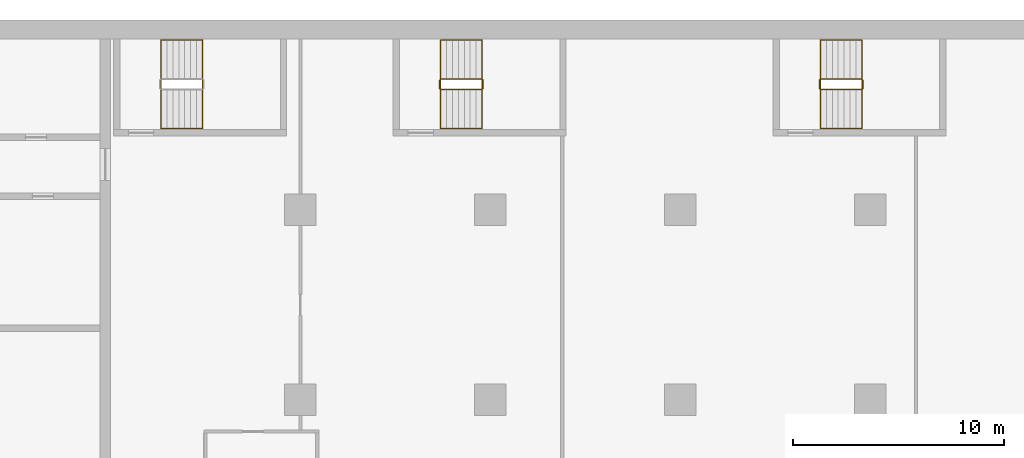
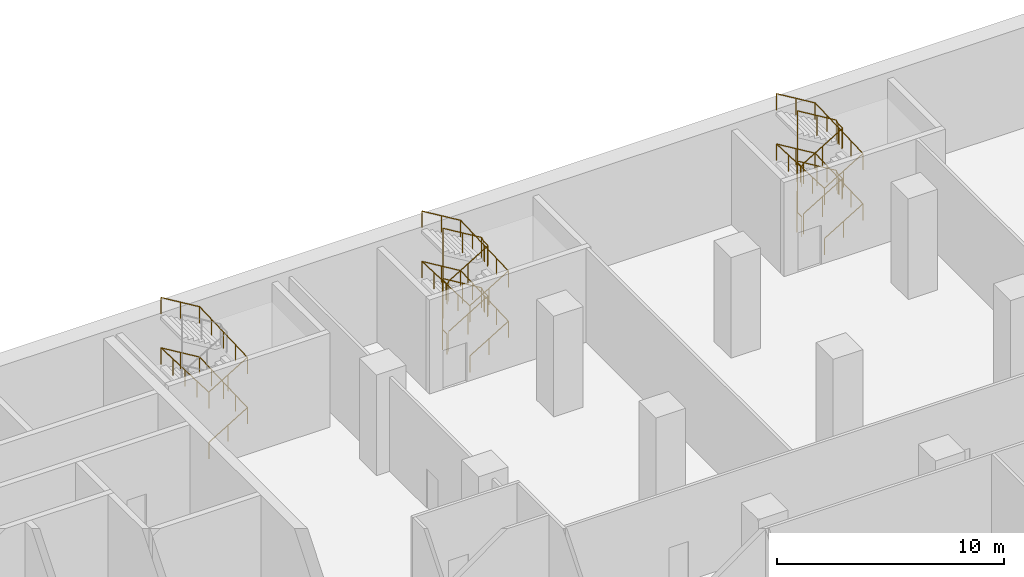
# One storey, part 37 of 44: 5 railings.
"""IFC4 building model written with IfcOpenShell, lengths in metres."""

from ifc_helpers import new_model, si_unit, direction, frame, origin, origin_2d, place, context, subcontext, project, spatial, circle, extrude, material, type_object, element, save


model = new_model("IFC4")

# Units and contexts
model_context = context("Model", 3, precision=1e-05, world=origin(), true_north=direction((0.0, 1.0)))
body_context = subcontext(model_context, "Body", "Model", "MODEL_VIEW")
ifc_project = project(units=[si_unit("LENGTHUNIT", "METRE"), si_unit("AREAUNIT", "SQUARE_METRE"), si_unit("VOLUMEUNIT", "CUBIC_METRE"), si_unit("PLANEANGLEUNIT", "RADIAN"), si_unit("MASSUNIT", "GRAM", prefix="KILO")], contexts=[model_context])

# Site, building, storey
site_placement = place(None, origin())
site = spatial("IfcSite", under=ifc_project, at=site_placement, CompositionType="ELEMENT")
building_placement = place(site_placement, origin())
building = spatial("IfcBuilding", under=site, at=building_placement, Name="Hunhe Ridgeline Campus", CompositionType="ELEMENT")
storey_placement = place(building_placement, frame((0.0, 0.0, 6.0)))
storey = spatial("IfcBuildingStorey", under=building, at=storey_placement, Name="L01", CompositionType="ELEMENT", Elevation=6.0)

# Railings
ifc_material_1 = material(Name="Stainless steel balustrade", Category="steel")
railing_type_1 = type_object("IfcRailingType", Name="Stair guard 1100 stainless", PredefinedType="GUARDRAIL", material=ifc_material_1)
railing_1_placement = place(storey_placement, frame((51.64990234375, 95.699951171875, 0.168701171875)))
element("IfcRailing", 1, at=railing_1_placement, inside=storey, type_object=railing_type_1, Name="L01 stair E2 guard", PredefinedType="GUARDRAIL", context=body_context, shape_type="SweptSolid", body=[
    extrude(circle(Radius=0.02392578125, at=origin_2d()), frame((0.0, 0.0, 1.076171875), z_axis=(0.856474724393, 0.0, 0.516188963923), x_axis=(0.0, 1.0, 0.0)), (0.0, 0.0, 1.0), 2.28857421875),
    extrude(circle(Radius=0.02392578125, at=origin_2d()), frame((1.960205078125, 0.0, 2.25732421875), z_axis=(0.705375805398, 0.708833529934, 0.0), x_axis=(-0.708833529934, 0.705375805398, 0.0)), (0.0, 0.0, 1.0), 0.070556640625),
    extrude(circle(Radius=0.02392578125, at=origin_2d()), frame((2.010009765625, 0.050048828125, 2.25732421875), z_axis=(0.0, 1.0, 0.0), x_axis=(-1.0, 0.0, 0.0)), (0.0, 0.0, 1.0), 0.39990234375),
    extrude(circle(Radius=0.02392578125, at=origin_2d()), frame((2.010009765625, 0.449951171875, 2.25732421875), z_axis=(-0.272333783174, 0.273668752699, 0.922463942026), x_axis=(-0.708833529934, -0.705375805398, 0.0)), (0.0, 0.0, 1.0), 0.182861328125),
    extrude(circle(Radius=0.02392578125, at=origin_2d()), frame((1.960205078125, 0.5, 2.42626953125), z_axis=(-0.856521883693, 0.0, 0.516110707847), x_axis=(0.0, -1.0, 0.0)), (0.0, 0.0, 1.0), 2.28857421875),
    extrude(circle(Radius=0.02392578125, at=origin_2d()), frame((0.0, 0.5, 3.607421875), z_axis=(-0.705375805398, -0.708833529934, 0.0), x_axis=(0.708833529934, -0.705375805398, 0.0)), (0.0, 0.0, 1.0), 0.070556640625),
    extrude(circle(Radius=0.02392578125, at=origin_2d()), frame((-0.0498046875, 0.449951171875, 3.607421875), z_axis=(0.0, -1.0, 0.0), x_axis=(1.0, 0.0, 0.0)), (0.0, 0.0, 1.0), 0.39990234375),
    extrude(circle(Radius=0.02392578125, at=origin_2d()), frame((-0.0498046875, 0.050048828125, 3.607421875), z_axis=(0.272333783174, -0.273668752699, 0.922463942026), x_axis=(0.708833529934, 0.705375805398, 0.0)), (0.0, 0.0, 1.0), 0.182861328125),
    extrude(circle(Radius=0.02392578125, at=origin_2d()), frame((0.0, 0.0, 3.77587890625), z_axis=(0.856474724393, 0.0, 0.516188963923), x_axis=(0.0, 1.0, 0.0)), (0.0, 0.0, 1.0), 2.28857421875),
    extrude(circle(Radius=0.02392578125, at=origin_2d()), frame((1.960205078125, 0.0, 4.95751953125), z_axis=(0.705375805398, 0.708833529934, 0.0), x_axis=(-0.708833529934, 0.705375805398, 0.0)), (0.0, 0.0, 1.0), 0.070556640625),
    extrude(circle(Radius=0.02392578125, at=origin_2d()), frame((2.010009765625, 0.050048828125, 4.95751953125), z_axis=(0.0, 1.0, 0.0), x_axis=(-1.0, 0.0, 0.0)), (0.0, 0.0, 1.0), 0.39990234375),
    extrude(circle(Radius=0.02392578125, at=origin_2d()), frame((2.010009765625, 0.449951171875, 4.95751953125), z_axis=(-0.272333783174, 0.273668752699, 0.922463942026), x_axis=(-0.708833529934, -0.705375805398, 0.0)), (0.0, 0.0, 1.0), 0.182861328125),
    extrude(circle(Radius=0.02392578125, at=origin_2d()), frame((1.960205078125, 0.5, 5.1259765625), z_axis=(-0.856521883693, 0.0, 0.516110707847), x_axis=(0.0, -1.0, 0.0)), (0.0, 0.0, 1.0), 2.28857421875),
    extrude(circle(Radius=0.02392578125, at=origin_2d()), frame((0.0, 0.5, 6.30712890625), z_axis=(-0.009222468713, -0.009267676893, -0.999914524465), x_axis=(1.0, 0.0, 0.0)), (0.0, 0.0, 1.0), 5.400390625),
    extrude(circle(Radius=0.02392578125, at=origin_2d()), frame((-0.0498046875, 0.449951171875, 0.9072265625), z_axis=(0.0, -1.0, 0.0), x_axis=(1.0, 0.0, 0.0)), (0.0, 0.0, 1.0), 0.39990234375),
    extrude(circle(Radius=0.02099609375, at=origin_2d()), origin(), (0.0, 0.0, 1.0), 1.052001953125),
    extrude(circle(Radius=0.02099609375, at=origin_2d()), frame((0.97998046875, 0.0, 0.5908203125)), (0.0, 0.0, 1.0), 1.052001953125),
    extrude(circle(Radius=0.02099609375, at=origin_2d()), frame((1.960205078125, 0.0, 1.181396484375)), (0.0, 0.0, 1.0), 1.052001953125),
    extrude(circle(Radius=0.02099609375, at=origin_2d()), frame((2.010009765625, 0.050048828125, 1.181396484375)), (0.0, 0.0, 1.0), 1.052001953125),
    extrude(circle(Radius=0.02099609375, at=origin_2d()), frame((2.010009765625, 0.449951171875, 1.181396484375)), (0.0, 0.0, 1.0), 1.052001953125),
    extrude(circle(Radius=0.02099609375, at=origin_2d()), frame((1.960205078125, 0.5, 1.35009765625)), (0.0, 0.0, 1.0), 1.052001953125),
    extrude(circle(Radius=0.02099609375, at=origin_2d()), frame((0.97998046875, 0.5, 1.940673828125)), (0.0, 0.0, 1.0), 1.052001953125),
    extrude(circle(Radius=0.02099609375, at=origin_2d()), frame((0.0, 0.5, 2.53125)), (0.0, 0.0, 1.0), 1.052001953125),
    extrude(circle(Radius=0.02099609375, at=origin_2d()), frame((-0.0498046875, 0.449951171875, 2.53125)), (0.0, 0.0, 1.0), 1.052001953125),
    extrude(circle(Radius=0.02099609375, at=origin_2d()), frame((-0.0498046875, 0.050048828125, 2.53125)), (0.0, 0.0, 1.0), 1.052001953125),
    extrude(circle(Radius=0.02099609375, at=origin_2d()), frame((0.0, 0.0, 2.699951171875)), (0.0, 0.0, 1.0), 1.052001953125),
    extrude(circle(Radius=0.02099609375, at=origin_2d()), frame((0.97998046875, 0.0, 3.29052734375)), (0.0, 0.0, 1.0), 1.052001953125),
    extrude(circle(Radius=0.02099609375, at=origin_2d()), frame((1.960205078125, 0.0, 3.88134765625)), (0.0, 0.0, 1.0), 1.052001953125),
    extrude(circle(Radius=0.02099609375, at=origin_2d()), frame((2.010009765625, 0.050048828125, 3.88134765625)), (0.0, 0.0, 1.0), 1.052001953125),
    extrude(circle(Radius=0.02099609375, at=origin_2d()), frame((2.010009765625, 0.449951171875, 3.88134765625)), (0.0, 0.0, 1.0), 1.052001953125),
    extrude(circle(Radius=0.02099609375, at=origin_2d()), frame((1.960205078125, 0.5, 4.050048828125)), (0.0, 0.0, 1.0), 1.052001953125),
    extrude(circle(Radius=0.02099609375, at=origin_2d()), frame((0.97998046875, 0.5, 4.640625)), (0.0, 0.0, 1.0), 1.052001953125),
    extrude(circle(Radius=0.02099609375, at=origin_2d()), frame((0.0, 0.5, 5.231201171875)), (0.0, 0.0, 1.0), 1.052001953125),
    extrude(circle(Radius=0.02099609375, at=origin_2d()), frame((-0.010009765625, 0.489990234375, 4.151123046875)), (0.0, 0.0, 1.0), 1.052001953125),
    extrude(circle(Radius=0.02099609375, at=origin_2d()), frame((-0.02001953125, 0.47998046875, 3.0712890625)), (0.0, 0.0, 1.0), 1.052001953125),
    extrude(circle(Radius=0.02099609375, at=origin_2d()), frame((-0.02978515625, 0.469970703125, 1.9912109375)), (0.0, 0.0, 1.0), 1.052001953125),
    extrude(circle(Radius=0.02099609375, at=origin_2d()), frame((-0.039794921875, 0.4599609375, 0.911376953125)), (0.0, 0.0, 1.0), 1.052001953125),
    extrude(circle(Radius=0.02099609375, at=origin_2d()), frame((-0.0498046875, 0.449951171875, -0.168701171875)), (0.0, 0.0, 1.0), 1.052001953125),
    extrude(circle(Radius=0.02099609375, at=origin_2d()), frame((-0.0498046875, 0.050048828125, -0.168701171875)), (0.0, 0.0, 1.0), 1.052001953125),
])
railing_2_placement = place(storey_placement, frame((69.64990234375, 95.699951171875, 0.168701171875)))
element("IfcRailing", 2, at=railing_2_placement, inside=storey, type_object=railing_type_1, Name="L01 stair E3 guard", PredefinedType="GUARDRAIL", context=body_context, shape_type="SweptSolid", body=[
    extrude(circle(Radius=0.02392578125, at=origin_2d()), frame((0.0, 0.0, 1.076171875), z_axis=(0.856474724393, 0.0, 0.516188963923), x_axis=(0.0, 1.0, 0.0)), (0.0, 0.0, 1.0), 2.28857421875),
    extrude(circle(Radius=0.02392578125, at=origin_2d()), frame((1.960205078125, 0.0, 2.25732421875), z_axis=(0.705375805398, 0.708833529934, 0.0), x_axis=(-0.708833529934, 0.705375805398, 0.0)), (0.0, 0.0, 1.0), 0.070556640625),
    extrude(circle(Radius=0.02392578125, at=origin_2d()), frame((2.010009765625, 0.050048828125, 2.25732421875), z_axis=(0.0, 1.0, 0.0), x_axis=(-1.0, 0.0, 0.0)), (0.0, 0.0, 1.0), 0.39990234375),
    extrude(circle(Radius=0.02392578125, at=origin_2d()), frame((2.010009765625, 0.449951171875, 2.25732421875), z_axis=(-0.272333783174, 0.273668752699, 0.922463942026), x_axis=(-0.708833529934, -0.705375805398, 0.0)), (0.0, 0.0, 1.0), 0.182861328125),
    extrude(circle(Radius=0.02392578125, at=origin_2d()), frame((1.960205078125, 0.5, 2.42626953125), z_axis=(-0.856521883693, 0.0, 0.516110707847), x_axis=(0.0, -1.0, 0.0)), (0.0, 0.0, 1.0), 2.28857421875),
    extrude(circle(Radius=0.02392578125, at=origin_2d()), frame((0.0, 0.5, 3.607421875), z_axis=(-0.705375805398, -0.708833529934, 0.0), x_axis=(0.708833529934, -0.705375805398, 0.0)), (0.0, 0.0, 1.0), 0.070556640625),
    extrude(circle(Radius=0.02392578125, at=origin_2d()), frame((-0.0498046875, 0.449951171875, 3.607421875), z_axis=(0.0, -1.0, 0.0), x_axis=(1.0, 0.0, 0.0)), (0.0, 0.0, 1.0), 0.39990234375),
    extrude(circle(Radius=0.02392578125, at=origin_2d()), frame((-0.0498046875, 0.050048828125, 3.607421875), z_axis=(0.272333783174, -0.273668752699, 0.922463942026), x_axis=(0.708833529934, 0.705375805398, 0.0)), (0.0, 0.0, 1.0), 0.182861328125),
    extrude(circle(Radius=0.02392578125, at=origin_2d()), frame((0.0, 0.0, 3.77587890625), z_axis=(0.856474724393, 0.0, 0.516188963923), x_axis=(0.0, 1.0, 0.0)), (0.0, 0.0, 1.0), 2.28857421875),
    extrude(circle(Radius=0.02392578125, at=origin_2d()), frame((1.960205078125, 0.0, 4.95751953125), z_axis=(0.705375805398, 0.708833529934, 0.0), x_axis=(-0.708833529934, 0.705375805398, 0.0)), (0.0, 0.0, 1.0), 0.070556640625),
    extrude(circle(Radius=0.02392578125, at=origin_2d()), frame((2.010009765625, 0.050048828125, 4.95751953125), z_axis=(0.0, 1.0, 0.0), x_axis=(-1.0, 0.0, 0.0)), (0.0, 0.0, 1.0), 0.39990234375),
    extrude(circle(Radius=0.02392578125, at=origin_2d()), frame((2.010009765625, 0.449951171875, 4.95751953125), z_axis=(-0.272333783174, 0.273668752699, 0.922463942026), x_axis=(-0.708833529934, -0.705375805398, 0.0)), (0.0, 0.0, 1.0), 0.182861328125),
    extrude(circle(Radius=0.02392578125, at=origin_2d()), frame((1.960205078125, 0.5, 5.1259765625), z_axis=(-0.856521883693, 0.0, 0.516110707847), x_axis=(0.0, -1.0, 0.0)), (0.0, 0.0, 1.0), 2.28857421875),
    extrude(circle(Radius=0.02392578125, at=origin_2d()), frame((0.0, 0.5, 6.30712890625), z_axis=(-0.009222468713, -0.009267676893, -0.999914524465), x_axis=(1.0, 0.0, 0.0)), (0.0, 0.0, 1.0), 5.400390625),
    extrude(circle(Radius=0.02392578125, at=origin_2d()), frame((-0.0498046875, 0.449951171875, 0.9072265625), z_axis=(0.0, -1.0, 0.0), x_axis=(1.0, 0.0, 0.0)), (0.0, 0.0, 1.0), 0.39990234375),
    extrude(circle(Radius=0.02099609375, at=origin_2d()), origin(), (0.0, 0.0, 1.0), 1.052001953125),
    extrude(circle(Radius=0.02099609375, at=origin_2d()), frame((0.97998046875, 0.0, 0.5908203125)), (0.0, 0.0, 1.0), 1.052001953125),
    extrude(circle(Radius=0.02099609375, at=origin_2d()), frame((1.960205078125, 0.0, 1.181396484375)), (0.0, 0.0, 1.0), 1.052001953125),
    extrude(circle(Radius=0.02099609375, at=origin_2d()), frame((2.010009765625, 0.050048828125, 1.181396484375)), (0.0, 0.0, 1.0), 1.052001953125),
    extrude(circle(Radius=0.02099609375, at=origin_2d()), frame((2.010009765625, 0.449951171875, 1.181396484375)), (0.0, 0.0, 1.0), 1.052001953125),
    extrude(circle(Radius=0.02099609375, at=origin_2d()), frame((1.960205078125, 0.5, 1.35009765625)), (0.0, 0.0, 1.0), 1.052001953125),
    extrude(circle(Radius=0.02099609375, at=origin_2d()), frame((0.97998046875, 0.5, 1.940673828125)), (0.0, 0.0, 1.0), 1.052001953125),
    extrude(circle(Radius=0.02099609375, at=origin_2d()), frame((0.0, 0.5, 2.53125)), (0.0, 0.0, 1.0), 1.052001953125),
    extrude(circle(Radius=0.02099609375, at=origin_2d()), frame((-0.0498046875, 0.449951171875, 2.53125)), (0.0, 0.0, 1.0), 1.052001953125),
    extrude(circle(Radius=0.02099609375, at=origin_2d()), frame((-0.0498046875, 0.050048828125, 2.53125)), (0.0, 0.0, 1.0), 1.052001953125),
    extrude(circle(Radius=0.02099609375, at=origin_2d()), frame((0.0, 0.0, 2.699951171875)), (0.0, 0.0, 1.0), 1.052001953125),
    extrude(circle(Radius=0.02099609375, at=origin_2d()), frame((0.97998046875, 0.0, 3.29052734375)), (0.0, 0.0, 1.0), 1.052001953125),
    extrude(circle(Radius=0.02099609375, at=origin_2d()), frame((1.960205078125, 0.0, 3.88134765625)), (0.0, 0.0, 1.0), 1.052001953125),
    extrude(circle(Radius=0.02099609375, at=origin_2d()), frame((2.010009765625, 0.050048828125, 3.88134765625)), (0.0, 0.0, 1.0), 1.052001953125),
    extrude(circle(Radius=0.02099609375, at=origin_2d()), frame((2.010009765625, 0.449951171875, 3.88134765625)), (0.0, 0.0, 1.0), 1.052001953125),
    extrude(circle(Radius=0.02099609375, at=origin_2d()), frame((1.960205078125, 0.5, 4.050048828125)), (0.0, 0.0, 1.0), 1.052001953125),
    extrude(circle(Radius=0.02099609375, at=origin_2d()), frame((0.97998046875, 0.5, 4.640625)), (0.0, 0.0, 1.0), 1.052001953125),
    extrude(circle(Radius=0.02099609375, at=origin_2d()), frame((0.0, 0.5, 5.231201171875)), (0.0, 0.0, 1.0), 1.052001953125),
    extrude(circle(Radius=0.02099609375, at=origin_2d()), frame((-0.010009765625, 0.489990234375, 4.151123046875)), (0.0, 0.0, 1.0), 1.052001953125),
    extrude(circle(Radius=0.02099609375, at=origin_2d()), frame((-0.02001953125, 0.47998046875, 3.0712890625)), (0.0, 0.0, 1.0), 1.052001953125),
    extrude(circle(Radius=0.02099609375, at=origin_2d()), frame((-0.02978515625, 0.469970703125, 1.9912109375)), (0.0, 0.0, 1.0), 1.052001953125),
    extrude(circle(Radius=0.02099609375, at=origin_2d()), frame((-0.039794921875, 0.4599609375, 0.911376953125)), (0.0, 0.0, 1.0), 1.052001953125),
    extrude(circle(Radius=0.02099609375, at=origin_2d()), frame((-0.0498046875, 0.449951171875, -0.168701171875)), (0.0, 0.0, 1.0), 1.052001953125),
    extrude(circle(Radius=0.02099609375, at=origin_2d()), frame((-0.0498046875, 0.050048828125, -0.168701171875)), (0.0, 0.0, 1.0), 1.052001953125),
])
ifc_material_2 = material(Name="Stainless steel handrail", Category="steel")
railing_type_2 = type_object("IfcRailingType", Name="Stair handrail 900 stainless", PredefinedType="HANDRAIL", material=ifc_material_2)
railing_3_placement = place(storey_placement, frame((38.39990234375, 93.85009765625, 0.168701171875)))
element("IfcRailing", 3, at=railing_3_placement, inside=storey, type_object=railing_type_2, Name="L01 stair E1 handrail", PredefinedType="HANDRAIL", context=body_context, shape_type="SweptSolid", body=[
    extrude(circle(Radius=0.02392578125, at=origin_2d()), frame((0.0, 0.0, 0.8759765625), z_axis=(0.856474724393, 0.0, 0.516188963923), x_axis=(0.0, 1.0, 0.0)), (0.0, 0.0, 1.0), 2.28857421875),
    extrude(circle(Radius=0.02392578125, at=origin_2d()), frame((1.960205078125, 0.0, 2.05712890625), z_axis=(0.0, 0.999194264342, 0.040135048344), x_axis=(-1.0, 0.0, 0.0)), (0.0, 0.0, 1.0), 4.203369140625),
    extrude(circle(Radius=0.02392578125, at=origin_2d()), frame((1.960205078125, 4.199951171875, 2.22607421875), z_axis=(-0.856521883693, 0.0, 0.516110707847), x_axis=(0.0, -1.0, 0.0)), (0.0, 0.0, 1.0), 2.28857421875),
    extrude(circle(Radius=0.02392578125, at=origin_2d()), frame((0.0, 4.199951171875, 3.4072265625), z_axis=(0.0, -0.999194264342, 0.040135048344), x_axis=(1.0, 0.0, 0.0)), (0.0, 0.0, 1.0), 4.203369140625),
    extrude(circle(Radius=0.02392578125, at=origin_2d()), frame((0.0, 0.0, 3.57568359375), z_axis=(0.856474724393, 0.0, 0.516188963923), x_axis=(0.0, 1.0, 0.0)), (0.0, 0.0, 1.0), 2.28857421875),
    extrude(circle(Radius=0.02392578125, at=origin_2d()), frame((1.960205078125, 0.0, 4.75732421875), z_axis=(0.0, 0.999194264342, 0.040135048344), x_axis=(-1.0, 0.0, 0.0)), (0.0, 0.0, 1.0), 4.203369140625),
    extrude(circle(Radius=0.02392578125, at=origin_2d()), frame((1.960205078125, 4.199951171875, 4.92578125), z_axis=(-0.856521883693, 0.0, 0.516110707847), x_axis=(0.0, -1.0, 0.0)), (0.0, 0.0, 1.0), 2.28857421875),
    extrude(circle(Radius=0.02099609375, at=origin_2d()), origin(), (0.0, 0.0, 1.0), 0.851806640625),
    extrude(circle(Radius=0.02099609375, at=origin_2d()), frame((0.97998046875, 0.0, 0.5908203125)), (0.0, 0.0, 1.0), 0.851806640625),
    extrude(circle(Radius=0.02099609375, at=origin_2d()), frame((1.960205078125, 0.0, 1.181396484375)), (0.0, 0.0, 1.0), 0.851806640625),
    extrude(circle(Radius=0.02099609375, at=origin_2d()), frame((1.960205078125, 1.050048828125, 1.2236328125)), (0.0, 0.0, 1.0), 0.851806640625),
    extrude(circle(Radius=0.02099609375, at=origin_2d()), frame((1.960205078125, 2.10009765625, 1.265625)), (0.0, 0.0, 1.0), 0.851806640625),
    extrude(circle(Radius=0.02099609375, at=origin_2d()), frame((1.960205078125, 3.14990234375, 1.307861328125)), (0.0, 0.0, 1.0), 0.851806640625),
    extrude(circle(Radius=0.02099609375, at=origin_2d()), frame((1.960205078125, 4.199951171875, 1.35009765625)), (0.0, 0.0, 1.0), 0.851806640625),
    extrude(circle(Radius=0.02099609375, at=origin_2d()), frame((0.97998046875, 4.199951171875, 1.940673828125)), (0.0, 0.0, 1.0), 0.851806640625),
    extrude(circle(Radius=0.02099609375, at=origin_2d()), frame((0.0, 4.199951171875, 2.53125)), (0.0, 0.0, 1.0), 0.851806640625),
    extrude(circle(Radius=0.02099609375, at=origin_2d()), frame((0.0, 3.14990234375, 2.573486328125)), (0.0, 0.0, 1.0), 0.851806640625),
    extrude(circle(Radius=0.02099609375, at=origin_2d()), frame((0.0, 2.10009765625, 2.61572265625)), (0.0, 0.0, 1.0), 0.851806640625),
    extrude(circle(Radius=0.02099609375, at=origin_2d()), frame((0.0, 1.050048828125, 2.65771484375)), (0.0, 0.0, 1.0), 0.851806640625),
    extrude(circle(Radius=0.02099609375, at=origin_2d()), frame((0.0, 0.0, 2.699951171875)), (0.0, 0.0, 1.0), 0.851806640625),
    extrude(circle(Radius=0.02099609375, at=origin_2d()), frame((0.97998046875, 0.0, 3.29052734375)), (0.0, 0.0, 1.0), 0.851806640625),
    extrude(circle(Radius=0.02099609375, at=origin_2d()), frame((1.960205078125, 0.0, 3.88134765625)), (0.0, 0.0, 1.0), 0.851806640625),
    extrude(circle(Radius=0.02099609375, at=origin_2d()), frame((1.960205078125, 1.050048828125, 3.923583984375)), (0.0, 0.0, 1.0), 0.851806640625),
    extrude(circle(Radius=0.02099609375, at=origin_2d()), frame((1.960205078125, 2.10009765625, 3.9658203125)), (0.0, 0.0, 1.0), 0.851806640625),
    extrude(circle(Radius=0.02099609375, at=origin_2d()), frame((1.960205078125, 3.14990234375, 4.0078125)), (0.0, 0.0, 1.0), 0.851806640625),
    extrude(circle(Radius=0.02099609375, at=origin_2d()), frame((1.960205078125, 4.199951171875, 4.050048828125)), (0.0, 0.0, 1.0), 0.851806640625),
    extrude(circle(Radius=0.02099609375, at=origin_2d()), frame((0.97998046875, 4.199951171875, 4.640625)), (0.0, 0.0, 1.0), 0.851806640625),
    extrude(circle(Radius=0.02099609375, at=origin_2d()), frame((0.0, 4.199951171875, 5.231201171875)), (0.0, 0.0, 1.0), 0.851806640625),
])
railing_4_placement = place(storey_placement, frame((51.64990234375, 93.85009765625, 0.168701171875)))
element("IfcRailing", 4, at=railing_4_placement, inside=storey, type_object=railing_type_2, Name="L01 stair E2 handrail", PredefinedType="HANDRAIL", context=body_context, shape_type="SweptSolid", body=[
    extrude(circle(Radius=0.02392578125, at=origin_2d()), frame((0.0, 0.0, 0.8759765625), z_axis=(0.856474724393, 0.0, 0.516188963923), x_axis=(0.0, 1.0, 0.0)), (0.0, 0.0, 1.0), 2.28857421875),
    extrude(circle(Radius=0.02392578125, at=origin_2d()), frame((1.960205078125, 0.0, 2.05712890625), z_axis=(0.0, 0.999194264342, 0.040135048344), x_axis=(-1.0, 0.0, 0.0)), (0.0, 0.0, 1.0), 4.203369140625),
    extrude(circle(Radius=0.02392578125, at=origin_2d()), frame((1.960205078125, 4.199951171875, 2.22607421875), z_axis=(-0.856521883693, 0.0, 0.516110707847), x_axis=(0.0, -1.0, 0.0)), (0.0, 0.0, 1.0), 2.28857421875),
    extrude(circle(Radius=0.02392578125, at=origin_2d()), frame((0.0, 4.199951171875, 3.4072265625), z_axis=(0.0, -0.999194264342, 0.040135048344), x_axis=(1.0, 0.0, 0.0)), (0.0, 0.0, 1.0), 4.203369140625),
    extrude(circle(Radius=0.02392578125, at=origin_2d()), frame((0.0, 0.0, 3.57568359375), z_axis=(0.856474724393, 0.0, 0.516188963923), x_axis=(0.0, 1.0, 0.0)), (0.0, 0.0, 1.0), 2.28857421875),
    extrude(circle(Radius=0.02392578125, at=origin_2d()), frame((1.960205078125, 0.0, 4.75732421875), z_axis=(0.0, 0.999194264342, 0.040135048344), x_axis=(-1.0, 0.0, 0.0)), (0.0, 0.0, 1.0), 4.203369140625),
    extrude(circle(Radius=0.02392578125, at=origin_2d()), frame((1.960205078125, 4.199951171875, 4.92578125), z_axis=(-0.856521883693, 0.0, 0.516110707847), x_axis=(0.0, -1.0, 0.0)), (0.0, 0.0, 1.0), 2.28857421875),
    extrude(circle(Radius=0.02099609375, at=origin_2d()), origin(), (0.0, 0.0, 1.0), 0.851806640625),
    extrude(circle(Radius=0.02099609375, at=origin_2d()), frame((0.97998046875, 0.0, 0.5908203125)), (0.0, 0.0, 1.0), 0.851806640625),
    extrude(circle(Radius=0.02099609375, at=origin_2d()), frame((1.960205078125, 0.0, 1.181396484375)), (0.0, 0.0, 1.0), 0.851806640625),
    extrude(circle(Radius=0.02099609375, at=origin_2d()), frame((1.960205078125, 1.050048828125, 1.2236328125)), (0.0, 0.0, 1.0), 0.851806640625),
    extrude(circle(Radius=0.02099609375, at=origin_2d()), frame((1.960205078125, 2.10009765625, 1.265625)), (0.0, 0.0, 1.0), 0.851806640625),
    extrude(circle(Radius=0.02099609375, at=origin_2d()), frame((1.960205078125, 3.14990234375, 1.307861328125)), (0.0, 0.0, 1.0), 0.851806640625),
    extrude(circle(Radius=0.02099609375, at=origin_2d()), frame((1.960205078125, 4.199951171875, 1.35009765625)), (0.0, 0.0, 1.0), 0.851806640625),
    extrude(circle(Radius=0.02099609375, at=origin_2d()), frame((0.97998046875, 4.199951171875, 1.940673828125)), (0.0, 0.0, 1.0), 0.851806640625),
    extrude(circle(Radius=0.02099609375, at=origin_2d()), frame((0.0, 4.199951171875, 2.53125)), (0.0, 0.0, 1.0), 0.851806640625),
    extrude(circle(Radius=0.02099609375, at=origin_2d()), frame((0.0, 3.14990234375, 2.573486328125)), (0.0, 0.0, 1.0), 0.851806640625),
    extrude(circle(Radius=0.02099609375, at=origin_2d()), frame((0.0, 2.10009765625, 2.61572265625)), (0.0, 0.0, 1.0), 0.851806640625),
    extrude(circle(Radius=0.02099609375, at=origin_2d()), frame((0.0, 1.050048828125, 2.65771484375)), (0.0, 0.0, 1.0), 0.851806640625),
    extrude(circle(Radius=0.02099609375, at=origin_2d()), frame((0.0, 0.0, 2.699951171875)), (0.0, 0.0, 1.0), 0.851806640625),
    extrude(circle(Radius=0.02099609375, at=origin_2d()), frame((0.97998046875, 0.0, 3.29052734375)), (0.0, 0.0, 1.0), 0.851806640625),
    extrude(circle(Radius=0.02099609375, at=origin_2d()), frame((1.960205078125, 0.0, 3.88134765625)), (0.0, 0.0, 1.0), 0.851806640625),
    extrude(circle(Radius=0.02099609375, at=origin_2d()), frame((1.960205078125, 1.050048828125, 3.923583984375)), (0.0, 0.0, 1.0), 0.851806640625),
    extrude(circle(Radius=0.02099609375, at=origin_2d()), frame((1.960205078125, 2.10009765625, 3.9658203125)), (0.0, 0.0, 1.0), 0.851806640625),
    extrude(circle(Radius=0.02099609375, at=origin_2d()), frame((1.960205078125, 3.14990234375, 4.0078125)), (0.0, 0.0, 1.0), 0.851806640625),
    extrude(circle(Radius=0.02099609375, at=origin_2d()), frame((1.960205078125, 4.199951171875, 4.050048828125)), (0.0, 0.0, 1.0), 0.851806640625),
    extrude(circle(Radius=0.02099609375, at=origin_2d()), frame((0.97998046875, 4.199951171875, 4.640625)), (0.0, 0.0, 1.0), 0.851806640625),
    extrude(circle(Radius=0.02099609375, at=origin_2d()), frame((0.0, 4.199951171875, 5.231201171875)), (0.0, 0.0, 1.0), 0.851806640625),
])
railing_5_placement = place(storey_placement, frame((69.64990234375, 93.85009765625, 0.168701171875)))
element("IfcRailing", 5, at=railing_5_placement, inside=storey, type_object=railing_type_2, Name="L01 stair E3 handrail", PredefinedType="HANDRAIL", context=body_context, shape_type="SweptSolid", body=[
    extrude(circle(Radius=0.02392578125, at=origin_2d()), frame((0.0, 0.0, 0.8759765625), z_axis=(0.856474724393, 0.0, 0.516188963923), x_axis=(0.0, 1.0, 0.0)), (0.0, 0.0, 1.0), 2.28857421875),
    extrude(circle(Radius=0.02392578125, at=origin_2d()), frame((1.960205078125, 0.0, 2.05712890625), z_axis=(0.0, 0.999194264342, 0.040135048344), x_axis=(-1.0, 0.0, 0.0)), (0.0, 0.0, 1.0), 4.203369140625),
    extrude(circle(Radius=0.02392578125, at=origin_2d()), frame((1.960205078125, 4.199951171875, 2.22607421875), z_axis=(-0.856521883693, 0.0, 0.516110707847), x_axis=(0.0, -1.0, 0.0)), (0.0, 0.0, 1.0), 2.28857421875),
    extrude(circle(Radius=0.02392578125, at=origin_2d()), frame((0.0, 4.199951171875, 3.4072265625), z_axis=(0.0, -0.999194264342, 0.040135048344), x_axis=(1.0, 0.0, 0.0)), (0.0, 0.0, 1.0), 4.203369140625),
    extrude(circle(Radius=0.02392578125, at=origin_2d()), frame((0.0, 0.0, 3.57568359375), z_axis=(0.856474724393, 0.0, 0.516188963923), x_axis=(0.0, 1.0, 0.0)), (0.0, 0.0, 1.0), 2.28857421875),
    extrude(circle(Radius=0.02392578125, at=origin_2d()), frame((1.960205078125, 0.0, 4.75732421875), z_axis=(0.0, 0.999194264342, 0.040135048344), x_axis=(-1.0, 0.0, 0.0)), (0.0, 0.0, 1.0), 4.203369140625),
    extrude(circle(Radius=0.02392578125, at=origin_2d()), frame((1.960205078125, 4.199951171875, 4.92578125), z_axis=(-0.856521883693, 0.0, 0.516110707847), x_axis=(0.0, -1.0, 0.0)), (0.0, 0.0, 1.0), 2.28857421875),
    extrude(circle(Radius=0.02099609375, at=origin_2d()), origin(), (0.0, 0.0, 1.0), 0.851806640625),
    extrude(circle(Radius=0.02099609375, at=origin_2d()), frame((0.97998046875, 0.0, 0.5908203125)), (0.0, 0.0, 1.0), 0.851806640625),
    extrude(circle(Radius=0.02099609375, at=origin_2d()), frame((1.960205078125, 0.0, 1.181396484375)), (0.0, 0.0, 1.0), 0.851806640625),
    extrude(circle(Radius=0.02099609375, at=origin_2d()), frame((1.960205078125, 1.050048828125, 1.2236328125)), (0.0, 0.0, 1.0), 0.851806640625),
    extrude(circle(Radius=0.02099609375, at=origin_2d()), frame((1.960205078125, 2.10009765625, 1.265625)), (0.0, 0.0, 1.0), 0.851806640625),
    extrude(circle(Radius=0.02099609375, at=origin_2d()), frame((1.960205078125, 3.14990234375, 1.307861328125)), (0.0, 0.0, 1.0), 0.851806640625),
    extrude(circle(Radius=0.02099609375, at=origin_2d()), frame((1.960205078125, 4.199951171875, 1.35009765625)), (0.0, 0.0, 1.0), 0.851806640625),
    extrude(circle(Radius=0.02099609375, at=origin_2d()), frame((0.97998046875, 4.199951171875, 1.940673828125)), (0.0, 0.0, 1.0), 0.851806640625),
    extrude(circle(Radius=0.02099609375, at=origin_2d()), frame((0.0, 4.199951171875, 2.53125)), (0.0, 0.0, 1.0), 0.851806640625),
    extrude(circle(Radius=0.02099609375, at=origin_2d()), frame((0.0, 3.14990234375, 2.573486328125)), (0.0, 0.0, 1.0), 0.851806640625),
    extrude(circle(Radius=0.02099609375, at=origin_2d()), frame((0.0, 2.10009765625, 2.61572265625)), (0.0, 0.0, 1.0), 0.851806640625),
    extrude(circle(Radius=0.02099609375, at=origin_2d()), frame((0.0, 1.050048828125, 2.65771484375)), (0.0, 0.0, 1.0), 0.851806640625),
    extrude(circle(Radius=0.02099609375, at=origin_2d()), frame((0.0, 0.0, 2.699951171875)), (0.0, 0.0, 1.0), 0.851806640625),
    extrude(circle(Radius=0.02099609375, at=origin_2d()), frame((0.97998046875, 0.0, 3.29052734375)), (0.0, 0.0, 1.0), 0.851806640625),
    extrude(circle(Radius=0.02099609375, at=origin_2d()), frame((1.960205078125, 0.0, 3.88134765625)), (0.0, 0.0, 1.0), 0.851806640625),
    extrude(circle(Radius=0.02099609375, at=origin_2d()), frame((1.960205078125, 1.050048828125, 3.923583984375)), (0.0, 0.0, 1.0), 0.851806640625),
    extrude(circle(Radius=0.02099609375, at=origin_2d()), frame((1.960205078125, 2.10009765625, 3.9658203125)), (0.0, 0.0, 1.0), 0.851806640625),
    extrude(circle(Radius=0.02099609375, at=origin_2d()), frame((1.960205078125, 3.14990234375, 4.0078125)), (0.0, 0.0, 1.0), 0.851806640625),
    extrude(circle(Radius=0.02099609375, at=origin_2d()), frame((1.960205078125, 4.199951171875, 4.050048828125)), (0.0, 0.0, 1.0), 0.851806640625),
    extrude(circle(Radius=0.02099609375, at=origin_2d()), frame((0.97998046875, 4.199951171875, 4.640625)), (0.0, 0.0, 1.0), 0.851806640625),
    extrude(circle(Radius=0.02099609375, at=origin_2d()), frame((0.0, 4.199951171875, 5.231201171875)), (0.0, 0.0, 1.0), 0.851806640625),
])

save(model, "model.ifc")
